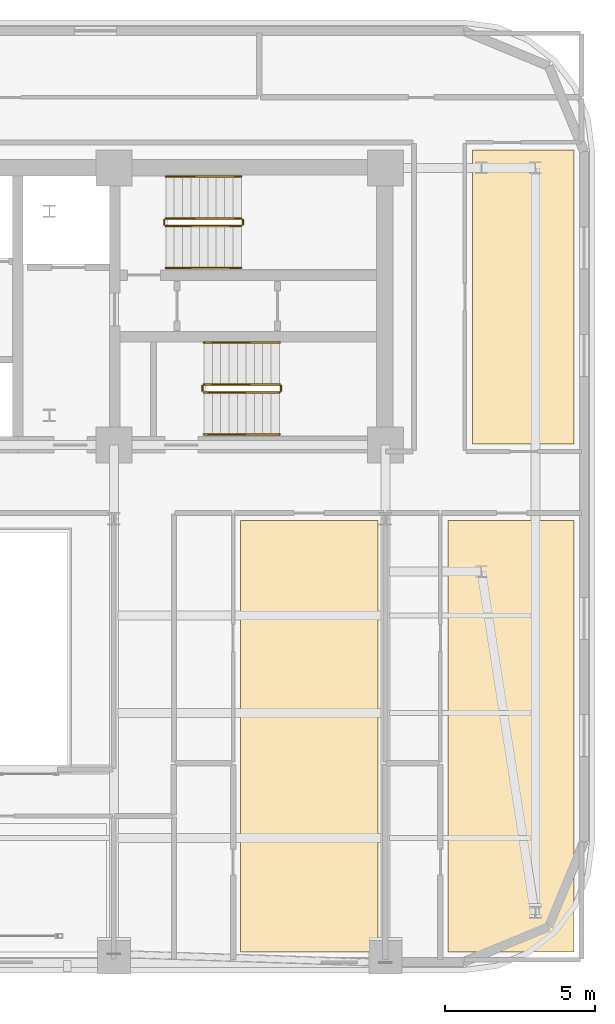
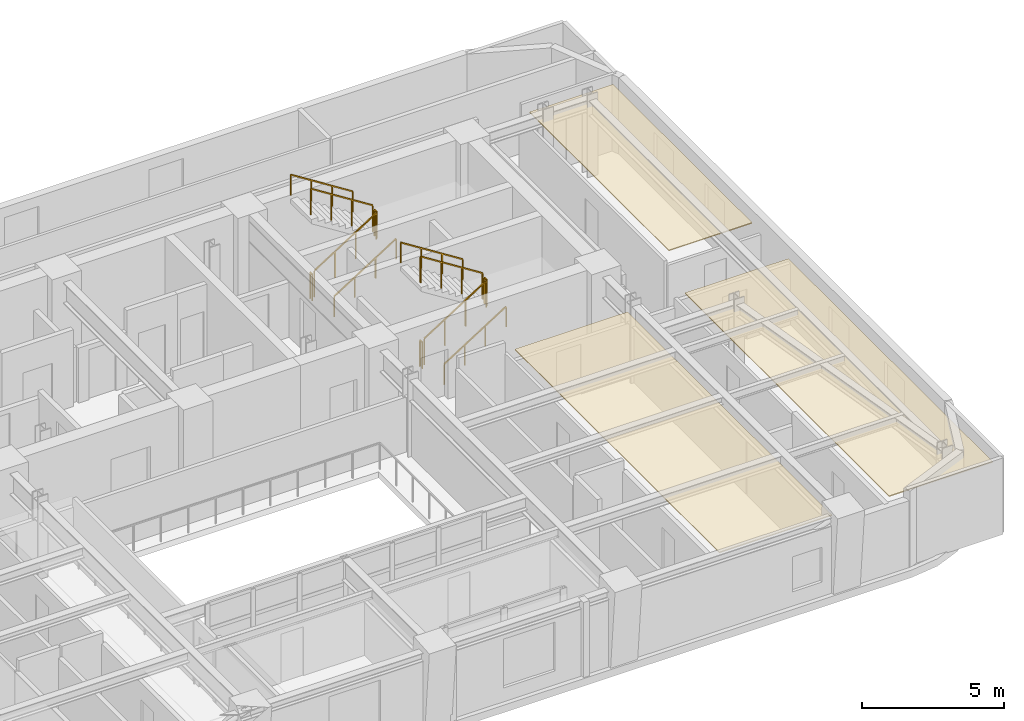
# One storey, part 13 of 13: 12 railings, 3 coverings.
"""IFC4 building model written with IfcOpenShell, lengths in metres."""

from ifc_helpers import new_model, si_unit, direction, frame, origin, origin_2d, place, context, subcontext, project, spatial, polyline, rectangle, outline, extrude, material, layer, layer_set, type_object, element, save


model = new_model("IFC4")

# Units and contexts
model_context = context("Model", 3, precision=1e-05, world=origin(), true_north=direction((0.0, 1.0)))
body_context = subcontext(model_context, "Body", "Model", "MODEL_VIEW")
ifc_project = project(units=[si_unit("LENGTHUNIT", "METRE"), si_unit("AREAUNIT", "SQUARE_METRE"), si_unit("VOLUMEUNIT", "CUBIC_METRE"), si_unit("PLANEANGLEUNIT", "RADIAN"), si_unit("MASSUNIT", "GRAM", prefix="KILO")], contexts=[model_context])

# Site, building, storey
site_placement = place(None, origin())
site = spatial("IfcSite", under=ifc_project, at=site_placement, CompositionType="ELEMENT")
building_placement = place(site_placement, origin())
building = spatial("IfcBuilding", under=site, at=building_placement, Name="Zarnavel Station Tower", CompositionType="ELEMENT")
storey_placement = place(building_placement, frame((0.0, 0.0, 169.64990234375)))
storey = spatial("IfcBuildingStorey", under=building, at=storey_placement, Name="L46", CompositionType="ELEMENT", Elevation=169.64990234375)

# Coverings
ifc_material_1 = material(Name="Perforated Gypsum and Mineral-Wool Acoustic Ceiling", Category="concrete")
ifc_layer = layer(ifc_material_1, 0.0400390625)
ifc_layer_set = layer_set([ifc_layer], Name="COV_CEIL_ACOUSTIC")
covering_type = type_object("IfcCoveringType", Name="COV_CEIL_ACOUSTIC", PredefinedType="CEILING", material=ifc_layer_set)
covering_1_placement = place(storey_placement, frame((0.0, 0.0, 2.97021484375)))
element("IfcCovering", 1, at=covering_1_placement, inside=storey, type_object=covering_type, Name="L46 FNE Acoustic Ceiling", PredefinedType="CEILING", context=body_context, shape_type="SweptSolid", body=[
    extrude(outline(polyline([(48.300048828125, 27.85009765625), (51.68994140625, 27.85009765625), (51.68994140625, 37.64990234375), (48.300048828125, 37.64990234375), (48.300048828125, 27.85009765625)])), origin(), (0.0, 0.0, 1.0), 0.039794921875),
])
covering_2_placement = place(storey_placement, frame((0.0, 0.0, 2.97021484375)))
element("IfcCovering", 2, at=covering_2_placement, inside=storey, type_object=covering_type, Name="L46 HE1R Acoustic Ceiling", PredefinedType="CEILING", context=body_context, shape_type="SweptSolid", body=[
    extrude(outline(polyline([(40.573974609375, 10.909912109375), (45.14990234375, 10.909912109375), (45.14990234375, 25.300048828125), (40.573974609375, 25.300048828125), (40.573974609375, 10.909912109375)])), origin(), (0.0, 0.0, 1.0), 0.039794921875),
])
covering_3_placement = place(storey_placement, frame((0.0, 0.0, 2.97021484375)))
element("IfcCovering", 3, at=covering_3_placement, inside=storey, type_object=covering_type, Name="L46 HE2R Acoustic Ceiling", PredefinedType="CEILING", context=body_context, shape_type="SweptSolid", body=[
    extrude(outline(polyline([(47.48095703125, 10.909912109375), (51.68994140625, 10.909912109375), (51.68994140625, 25.300048828125), (47.48095703125, 25.300048828125), (47.48095703125, 10.909912109375)])), origin(), (0.0, 0.0, 1.0), 0.039794921875),
])

# Railings
ifc_material_2 = material(Name="Painted Steel S355J2 Balustrade", Category="steel")
railing_type_1 = type_object("IfcRailingType", Name="GR_INT_1150", PredefinedType="GUARDRAIL", material=ifc_material_2)
railing_1_placement = place(storey_placement, frame((38.080078125, 35.110107421875, 0.177490234375)))
element("IfcRailing", 4, at=railing_1_placement, inside=storey, type_object=railing_type_1, Name="L46 ST2 stair guard 1", PredefinedType="GUARDRAIL", context=body_context, shape_type="SweptSolid", body=[
    extrude(rectangle(XDim=0.048095703125, YDim=0.048095703125, at=origin_2d()), frame((0.001708984375, 0.0, 1.126953125), z_axis=(0.84456994832, 0.0, 0.535445237532), x_axis=(0.0, 1.0, 0.0)), (0.0, 0.0, 1.0), 2.979736328125),
    extrude(rectangle(XDim=0.0419921875, YDim=0.0419921875, at=origin_2d()), origin(), (0.0, 0.0, 1.0), 1.101806640625),
    extrude(rectangle(XDim=0.0419921875, YDim=0.0419921875, at=origin_2d()), frame((0.840087890625, 0.0, 0.532470703125)), (0.0, 0.0, 1.0), 1.101806640625),
    extrude(rectangle(XDim=0.0419921875, YDim=0.0419921875, at=origin_2d()), frame((1.679931640625, 0.0, 1.065185546875)), (0.0, 0.0, 1.0), 1.101806640625),
    extrude(rectangle(XDim=0.0419921875, YDim=0.0419921875, at=origin_2d()), frame((2.52001953125, 0.0, 1.59765625)), (0.0, 0.0, 1.0), 1.101806640625),
])
railing_2_placement = place(storey_placement, frame((40.64990234375, 35.159912109375, 1.775146484375)))
element("IfcRailing", 5, at=railing_2_placement, inside=storey, type_object=railing_type_1, Name="L46 ST2 stair guard 2", PredefinedType="GUARDRAIL", context=body_context, shape_type="SweptSolid", body=[
    extrude(rectangle(XDim=0.048095703125, YDim=0.048095703125, at=origin_2d()), frame((0.0, 0.001953125, 1.1259765625), z_axis=(0.0, 1.0, 0.0), x_axis=(-1.0, 0.0, 0.0)), (0.0, 0.0, 1.0), 0.15625),
    extrude(rectangle(XDim=0.0419921875, YDim=0.0419921875, at=origin_2d()), origin(), (0.0, 0.0, 1.0), 1.101806640625),
    extrude(rectangle(XDim=0.0419921875, YDim=0.0419921875, at=origin_2d()), frame((0.0, 0.16015625, 0.0)), (0.0, 0.0, 1.0), 1.101806640625),
])
railing_3_placement = place(storey_placement, frame((40.60009765625, 35.3701171875, 1.95263671875)))
element("IfcRailing", 6, at=railing_3_placement, inside=storey, type_object=railing_type_1, Name="L46 ST2 stair guard 3", PredefinedType="GUARDRAIL", context=body_context, shape_type="SweptSolid", body=[
    extrude(rectangle(XDim=0.048095703125, YDim=0.048095703125, at=origin_2d()), frame((-0.001708984375, 0.0, 1.126953125), z_axis=(-0.84460694969, 0.0, 0.535386869969), x_axis=(0.0, -1.0, 0.0)), (0.0, 0.0, 1.0), 2.979736328125),
    extrude(rectangle(XDim=0.0419921875, YDim=0.0419921875, at=origin_2d()), origin(), (0.0, 0.0, 1.0), 1.101806640625),
    extrude(rectangle(XDim=0.0419921875, YDim=0.0419921875, at=origin_2d()), frame((-0.840087890625, 0.0, 0.532470703125)), (0.0, 0.0, 1.0), 1.101806640625),
    extrude(rectangle(XDim=0.0419921875, YDim=0.0419921875, at=origin_2d()), frame((-1.679931640625, 0.0, 1.06494140625)), (0.0, 0.0, 1.0), 1.101806640625),
    extrude(rectangle(XDim=0.0419921875, YDim=0.0419921875, at=origin_2d()), frame((-2.52001953125, 0.0, 1.597412109375)), (0.0, 0.0, 1.0), 1.101806640625),
])
railing_4_placement = place(storey_placement, frame((38.030029296875, 35.159912109375, 0.0)))
element("IfcRailing", 7, at=railing_4_placement, inside=storey, type_object=railing_type_1, Name="L46 ST2 stair guard 4", PredefinedType="GUARDRAIL", context=body_context, shape_type="SweptSolid", body=[
    extrude(rectangle(XDim=0.048095703125, YDim=0.048095703125, at=origin_2d()), frame((0.0, 0.001953125, 1.1259765625), z_axis=(0.0, 1.0, 0.0), x_axis=(-1.0, 0.0, 0.0)), (0.0, 0.0, 1.0), 0.15625),
    extrude(rectangle(XDim=0.0419921875, YDim=0.0419921875, at=origin_2d()), origin(), (0.0, 0.0, 1.0), 1.101806640625),
    extrude(rectangle(XDim=0.0419921875, YDim=0.0419921875, at=origin_2d()), frame((0.0, 0.16015625, 0.0)), (0.0, 0.0, 1.0), 1.101806640625),
])
railing_5_placement = place(storey_placement, frame((39.35009765625, 29.570068359375, 0.177490234375)))
element("IfcRailing", 8, at=railing_5_placement, inside=storey, type_object=railing_type_1, Name="L46 ST3 stair guard 1", PredefinedType="GUARDRAIL", context=body_context, shape_type="SweptSolid", body=[
    extrude(rectangle(XDim=0.048095703125, YDim=0.048095703125, at=origin_2d()), frame((0.001708984375, 0.0, 1.126953125), z_axis=(0.84456994832, 0.0, 0.535445237532), x_axis=(0.0, 1.0, 0.0)), (0.0, 0.0, 1.0), 2.979736328125),
    extrude(rectangle(XDim=0.0419921875, YDim=0.0419921875, at=origin_2d()), origin(), (0.0, 0.0, 1.0), 1.101806640625),
    extrude(rectangle(XDim=0.0419921875, YDim=0.0419921875, at=origin_2d()), frame((0.840087890625, 0.0, 0.532470703125)), (0.0, 0.0, 1.0), 1.101806640625),
    extrude(rectangle(XDim=0.0419921875, YDim=0.0419921875, at=origin_2d()), frame((1.679931640625, 0.0, 1.065185546875)), (0.0, 0.0, 1.0), 1.101806640625),
    extrude(rectangle(XDim=0.0419921875, YDim=0.0419921875, at=origin_2d()), frame((2.52001953125, 0.0, 1.59765625)), (0.0, 0.0, 1.0), 1.101806640625),
])
railing_6_placement = place(storey_placement, frame((41.919921875, 29.6201171875, 1.775146484375)))
element("IfcRailing", 9, at=railing_6_placement, inside=storey, type_object=railing_type_1, Name="L46 ST3 stair guard 2", PredefinedType="GUARDRAIL", context=body_context, shape_type="SweptSolid", body=[
    extrude(rectangle(XDim=0.048095703125, YDim=0.048095703125, at=origin_2d()), frame((0.0, 0.001953125, 1.1259765625), z_axis=(0.0, 1.0, 0.0), x_axis=(-1.0, 0.0, 0.0)), (0.0, 0.0, 1.0), 0.156005859375),
    extrude(rectangle(XDim=0.0419921875, YDim=0.0419921875, at=origin_2d()), origin(), (0.0, 0.0, 1.0), 1.101806640625),
    extrude(rectangle(XDim=0.0419921875, YDim=0.0419921875, at=origin_2d()), frame((0.0, 0.159912109375, 0.0)), (0.0, 0.0, 1.0), 1.101806640625),
])
railing_7_placement = place(storey_placement, frame((41.8701171875, 29.830078125, 1.95263671875)))
element("IfcRailing", 10, at=railing_7_placement, inside=storey, type_object=railing_type_1, Name="L46 ST3 stair guard 3", PredefinedType="GUARDRAIL", context=body_context, shape_type="SweptSolid", body=[
    extrude(rectangle(XDim=0.048095703125, YDim=0.048095703125, at=origin_2d()), frame((-0.001708984375, 0.0, 1.126953125), z_axis=(-0.84460694969, 0.0, 0.535386869969), x_axis=(0.0, -1.0, 0.0)), (0.0, 0.0, 1.0), 2.979736328125),
    extrude(rectangle(XDim=0.0419921875, YDim=0.0419921875, at=origin_2d()), origin(), (0.0, 0.0, 1.0), 1.101806640625),
    extrude(rectangle(XDim=0.0419921875, YDim=0.0419921875, at=origin_2d()), frame((-0.840087890625, 0.0, 0.532470703125)), (0.0, 0.0, 1.0), 1.101806640625),
    extrude(rectangle(XDim=0.0419921875, YDim=0.0419921875, at=origin_2d()), frame((-1.679931640625, 0.0, 1.06494140625)), (0.0, 0.0, 1.0), 1.101806640625),
    extrude(rectangle(XDim=0.0419921875, YDim=0.0419921875, at=origin_2d()), frame((-2.52001953125, 0.0, 1.597412109375)), (0.0, 0.0, 1.0), 1.101806640625),
])
railing_8_placement = place(storey_placement, frame((39.300048828125, 29.6201171875, 0.0)))
element("IfcRailing", 11, at=railing_8_placement, inside=storey, type_object=railing_type_1, Name="L46 ST3 stair guard 4", PredefinedType="GUARDRAIL", context=body_context, shape_type="SweptSolid", body=[
    extrude(rectangle(XDim=0.048095703125, YDim=0.048095703125, at=origin_2d()), frame((0.0, 0.001953125, 1.1259765625), z_axis=(0.0, 1.0, 0.0), x_axis=(-1.0, 0.0, 0.0)), (0.0, 0.0, 1.0), 0.156005859375),
    extrude(rectangle(XDim=0.0419921875, YDim=0.0419921875, at=origin_2d()), origin(), (0.0, 0.0, 1.0), 1.101806640625),
    extrude(rectangle(XDim=0.0419921875, YDim=0.0419921875, at=origin_2d()), frame((0.0, 0.159912109375, 0.0)), (0.0, 0.0, 1.0), 1.101806640625),
])
ifc_material_3 = material(Name="Brushed Stainless Steel S355J2 Handrail", Category="steel")
railing_type_2 = type_object("IfcRailingType", Name="HR_STAIR_900", PredefinedType="HANDRAIL", material=ifc_material_3)
railing_9_placement = place(storey_placement, frame((38.080078125, 33.7099609375, 0.177490234375)))
element("IfcRailing", 12, at=railing_9_placement, inside=storey, type_object=railing_type_2, Name="L46 ST2 stair handrail 1", PredefinedType="HANDRAIL", context=body_context, shape_type="SweptSolid", body=[
    extrude(rectangle(XDim=0.048095703125, YDim=0.048095703125, at=origin_2d()), frame((0.001708984375, 0.0, 0.876953125), z_axis=(0.84456994832, 0.0, 0.535445237532), x_axis=(0.0, 1.0, 0.0)), (0.0, 0.0, 1.0), 2.979736328125),
    extrude(rectangle(XDim=0.0419921875, YDim=0.0419921875, at=origin_2d()), origin(), (0.0, 0.0, 1.0), 0.851806640625),
    extrude(rectangle(XDim=0.0419921875, YDim=0.0419921875, at=origin_2d()), frame((0.840087890625, 0.0, 0.532470703125)), (0.0, 0.0, 1.0), 0.851806640625),
    extrude(rectangle(XDim=0.0419921875, YDim=0.0419921875, at=origin_2d()), frame((1.679931640625, 0.0, 1.065185546875)), (0.0, 0.0, 1.0), 0.851806640625),
    extrude(rectangle(XDim=0.0419921875, YDim=0.0419921875, at=origin_2d()), frame((2.52001953125, 0.0, 1.59765625)), (0.0, 0.0, 1.0), 0.851806640625),
])
railing_10_placement = place(storey_placement, frame((40.60009765625, 36.77001953125, 1.95263671875)))
element("IfcRailing", 13, at=railing_10_placement, inside=storey, type_object=railing_type_2, Name="L46 ST2 stair handrail 2", PredefinedType="HANDRAIL", context=body_context, shape_type="SweptSolid", body=[
    extrude(rectangle(XDim=0.048095703125, YDim=0.048095703125, at=origin_2d()), frame((-0.001708984375, 0.0, 0.876953125), z_axis=(-0.84460694969, 0.0, 0.535386869969), x_axis=(0.0, -1.0, 0.0)), (0.0, 0.0, 1.0), 2.979736328125),
    extrude(rectangle(XDim=0.0419921875, YDim=0.0419921875, at=origin_2d()), origin(), (0.0, 0.0, 1.0), 0.851806640625),
    extrude(rectangle(XDim=0.0419921875, YDim=0.0419921875, at=origin_2d()), frame((-0.840087890625, 0.0, 0.532470703125)), (0.0, 0.0, 1.0), 0.851806640625),
    extrude(rectangle(XDim=0.0419921875, YDim=0.0419921875, at=origin_2d()), frame((-1.679931640625, 0.0, 1.06494140625)), (0.0, 0.0, 1.0), 0.851806640625),
    extrude(rectangle(XDim=0.0419921875, YDim=0.0419921875, at=origin_2d()), frame((-2.52001953125, 0.0, 1.597412109375)), (0.0, 0.0, 1.0), 0.851806640625),
])
railing_11_placement = place(storey_placement, frame((39.35009765625, 28.169921875, 0.177490234375)))
element("IfcRailing", 14, at=railing_11_placement, inside=storey, type_object=railing_type_2, Name="L46 ST3 stair handrail 1", PredefinedType="HANDRAIL", context=body_context, shape_type="SweptSolid", body=[
    extrude(rectangle(XDim=0.048095703125, YDim=0.048095703125, at=origin_2d()), frame((0.001708984375, 0.0, 0.876953125), z_axis=(0.84456994832, 0.0, 0.535445237532), x_axis=(0.0, 1.0, 0.0)), (0.0, 0.0, 1.0), 2.979736328125),
    extrude(rectangle(XDim=0.0419921875, YDim=0.0419921875, at=origin_2d()), origin(), (0.0, 0.0, 1.0), 0.851806640625),
    extrude(rectangle(XDim=0.0419921875, YDim=0.0419921875, at=origin_2d()), frame((0.840087890625, 0.0, 0.532470703125)), (0.0, 0.0, 1.0), 0.851806640625),
    extrude(rectangle(XDim=0.0419921875, YDim=0.0419921875, at=origin_2d()), frame((1.679931640625, 0.0, 1.065185546875)), (0.0, 0.0, 1.0), 0.851806640625),
    extrude(rectangle(XDim=0.0419921875, YDim=0.0419921875, at=origin_2d()), frame((2.52001953125, 0.0, 1.59765625)), (0.0, 0.0, 1.0), 0.851806640625),
])
railing_12_placement = place(storey_placement, frame((41.8701171875, 31.22998046875, 1.95263671875)))
element("IfcRailing", 15, at=railing_12_placement, inside=storey, type_object=railing_type_2, Name="L46 ST3 stair handrail 2", PredefinedType="HANDRAIL", context=body_context, shape_type="SweptSolid", body=[
    extrude(rectangle(XDim=0.048095703125, YDim=0.048095703125, at=origin_2d()), frame((-0.001708984375, 0.0, 0.876953125), z_axis=(-0.84460694969, 0.0, 0.535386869969), x_axis=(0.0, -1.0, 0.0)), (0.0, 0.0, 1.0), 2.979736328125),
    extrude(rectangle(XDim=0.0419921875, YDim=0.0419921875, at=origin_2d()), origin(), (0.0, 0.0, 1.0), 0.851806640625),
    extrude(rectangle(XDim=0.0419921875, YDim=0.0419921875, at=origin_2d()), frame((-0.840087890625, 0.0, 0.532470703125)), (0.0, 0.0, 1.0), 0.851806640625),
    extrude(rectangle(XDim=0.0419921875, YDim=0.0419921875, at=origin_2d()), frame((-1.679931640625, 0.0, 1.06494140625)), (0.0, 0.0, 1.0), 0.851806640625),
    extrude(rectangle(XDim=0.0419921875, YDim=0.0419921875, at=origin_2d()), frame((-2.52001953125, 0.0, 1.597412109375)), (0.0, 0.0, 1.0), 0.851806640625),
])

save(model, "model.ifc")
